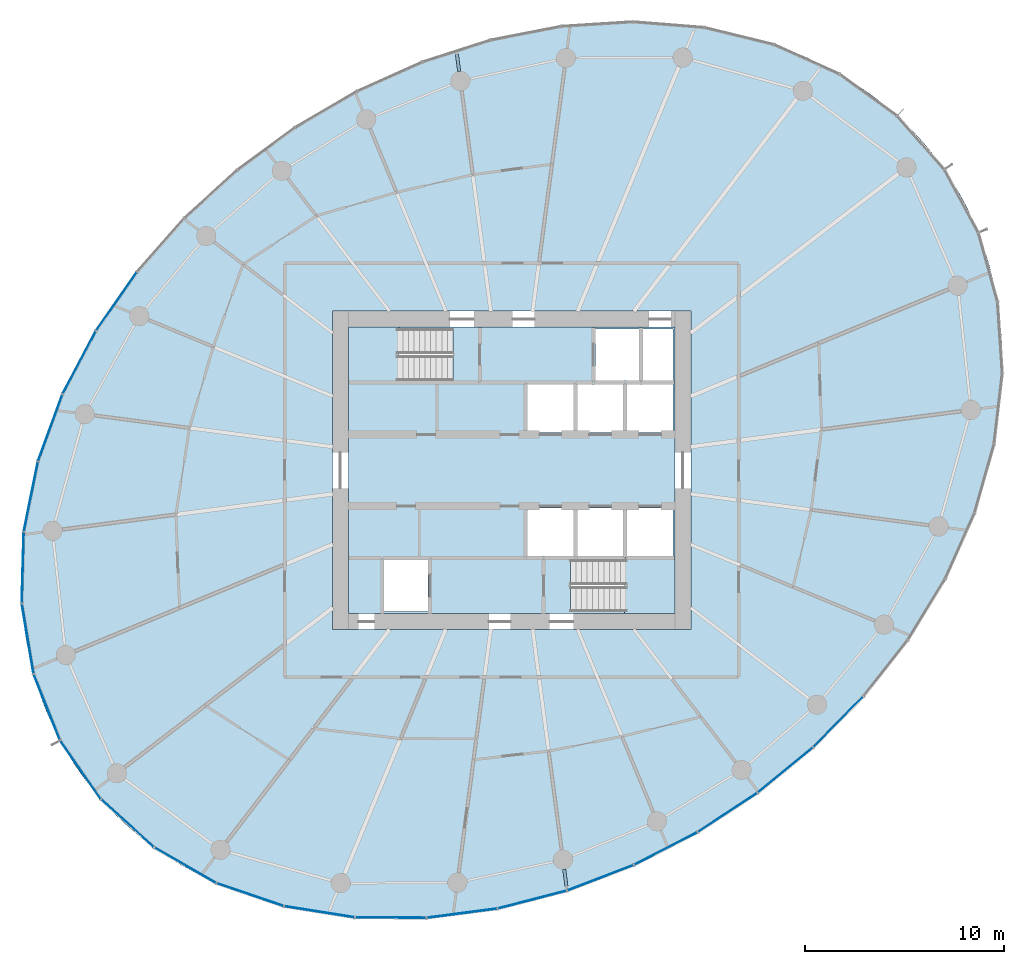
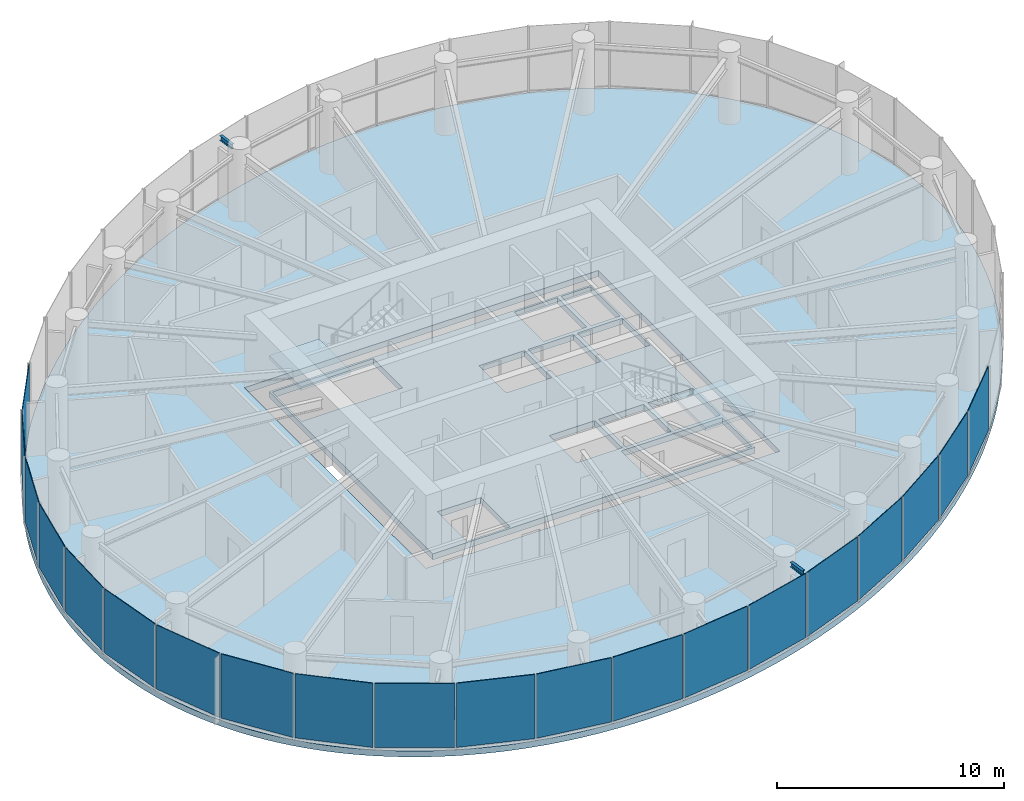
# One storey, part 7 of 14: 20 plates, 4 slabs, 2 beams, 6 elements without a shape of their own.
"""IFC4 building model written with IfcOpenShell, lengths in metres."""

from ifc_helpers import new_model, si_unit, direction, frame, origin, origin_2d, place, context, subcontext, project, spatial, line, indexed_curve, rectangle, i_section, outline, extrude, source, transform, mapped, material, layer, layer_set, material_profile, profile_set, type_object, element, aggregate, save


model = new_model("IFC4")

# Units and contexts
model_context = context("Model", 3, precision=1e-05, world=origin(), true_north=direction((0.0, 1.0)))
body_context = subcontext(model_context, "Body", "Model", "MODEL_VIEW")
ifc_project = project(units=[si_unit("LENGTHUNIT", "METRE"), si_unit("AREAUNIT", "SQUARE_METRE"), si_unit("VOLUMEUNIT", "CUBIC_METRE"), si_unit("PLANEANGLEUNIT", "RADIAN"), si_unit("MASSUNIT", "GRAM", prefix="KILO")], contexts=[model_context])

# Site, building, storey
site_placement = place(None, origin())
site = spatial("IfcSite", under=ifc_project, at=site_placement, CompositionType="ELEMENT")
building_placement = place(site_placement, origin())
building = spatial("IfcBuilding", under=site, at=building_placement, Name="Spindrift Exchange Tower", CompositionType="ELEMENT")
storey_placement = place(building_placement, frame((0.0, 0.0, 160.39990234375)))
storey = spatial("IfcBuildingStorey", under=building, at=storey_placement, Name="L38", CompositionType="ELEMENT", Elevation=160.39990234375)

# Beams
ifc_material_1 = material(Name="Steel Grade 300", Category="steel")
ifc_material_profile = material_profile(ifc_material_1, i_section(OverallWidth=0.14599609375, OverallDepth=0.251953125, WebThickness=0.006103515625, FlangeThickness=0.008544921875, FilletRadius=0.011962890625, at=origin_2d()), Name="250UB31.4")
ifc_profile_set = profile_set([ifc_material_profile], Name="Steel Grade 300")
beam_type = type_object("IfcBeamType", Name="Cantilever Beam 250UB31.4 Steel Grade 300", PredefinedType="BEAM", material=ifc_profile_set)
shared_shape_1 = source(origin(), body_context, "Body", "SweptSolid", [
    extrude(i_section(OverallWidth=0.14599609375, OverallDepth=0.251953125, WebThickness=0.006103515625, FlangeThickness=0.008544921875, FilletRadius=0.011962890625, at=origin_2d()), origin(), (0.0, 0.0, 1.0), 0.86962890625),
])
for number, where, z_axis, x_axis, name in (
    (1, (49.36328125, 68.027099609375, 3.4541015625), (-0.130251188216, 0.991481027538, 0.0), (-0.991481027538, -0.130251188216, 0.0), "L38 cantilever beam R07T"),
    (2, (54.63671875, 27.972900390625, 3.4541015625), (0.130251188216, -0.991481027538, 0.0), (0.991481027538, 0.130251188216, 0.0), "L38 cantilever beam R19T"),
):
    element("IfcBeam", number, at=place(storey_placement, frame(where, z_axis=z_axis, x_axis=x_axis)), inside=storey, type_object=beam_type, Name=name, PredefinedType="BEAM", context=body_context, shape_type="MappedRepresentation", body=[
        mapped(shared_shape_1, transform((0.0, 0.0, 0.0), scale=1.0)),
    ])

# Slabs
ifc_material_2 = material(Name="Concrete 40 MPa", Category="concrete")
ifc_layer_1 = layer(ifc_material_2, 0.320068359375)
ifc_layer_set_1 = layer_set([ifc_layer_1], Name="RC Floor Slab 320 Concrete 40 MPa")
slab_type_1 = type_object("IfcSlabType", Name="RC Floor Slab 320 Concrete 40 MPa", PredefinedType="FLOOR", material=ifc_layer_set_1)
slab_1_placement = place(storey_placement, frame((0.0, 0.0, -0.31982421875)))
element("IfcSlab", 3, at=slab_1_placement, inside=storey, type_object=slab_type_1, Name="Floor slab L38", PredefinedType="FLOOR", context=body_context, shape_type="SweptSolid", body=[
    extrude(outline(indexed_curve([(73.730224609375, 63.10009765625), (73.49169921875, 63.433837890625), (73.244384765625, 63.76123046875), (72.989013671875, 64.08203125), (72.724853515625, 64.396240234375), (72.452880859375, 64.703369140625), (72.173095703125, 65.00341796875), (71.885498046875, 65.2958984375), (71.590576171875, 65.581298828125), (71.288330078125, 65.858642578125), (70.979248046875, 66.12841796875), (70.66357421875, 66.390380859375), (70.34130859375, 66.644287109375), (70.0126953125, 66.890380859375), (69.33837890625, 67.35791015625), (68.642578125, 67.79248046875), (67.927001953125, 68.19384765625), (67.5625, 68.382080078125), (66.821044921875, 68.733642578125), (66.444580078125, 68.89697265625), (65.681884765625, 69.19921875), (64.906982421875, 69.468994140625), (64.515380859375, 69.591796875), (63.725341796875, 69.8134765625), (62.92724609375, 70.00390625), (62.525634765625, 70.087646484375), (61.718017578125, 70.232421875), (61.312255859375, 70.29345703125), (60.497802734375, 70.393798828125), (60.089599609375, 70.433349609375), (59.27099609375, 70.490966796875), (58.861083984375, 70.50927734375), (58.040771484375, 70.52587890625), (57.630615234375, 70.52392578125), (56.810302734375, 70.500732421875), (56.400390625, 70.4794921875), (55.582275390625, 70.418212890625), (55.173828125, 70.378173828125), (54.359130859375, 70.280029296875), (53.5478515625, 70.158203125), (53.143310546875, 70.088623046875), (52.739990234375, 70.013427734375), (51.936767578125, 69.845947265625), (51.138427734375, 69.656494140625), (50.7412109375, 69.5537109375), (50.345458984375, 69.445556640625), (49.558349609375, 69.213623046875), (49.167236328125, 69.08984375), (48.389892578125, 68.827392578125), (47.619384765625, 68.544921875), (47.23681640625, 68.396484375), (46.856201171875, 68.243408203125), (46.10107421875, 67.922607421875), (45.35400390625, 67.583251953125), (44.9833984375, 67.406494140625), (44.615234375, 67.2255859375), (43.8857421875, 66.85009765625), (42.808837890625, 66.25390625), (42.103271484375, 65.835205078125), (41.40771484375, 65.399658203125), (40.384521484375, 64.715576171875), (39.38671875, 63.9951171875), (38.73583984375, 63.495361328125), (38.097412109375, 62.97998046875), (37.1630859375, 62.1787109375), (36.8583984375, 61.904052734375), (36.2587890625, 61.343994140625), (35.673095703125, 60.769287109375), (35.385498046875, 60.4765625), (35.1015625, 60.180419921875), (34.545166015625, 59.577392578125), (34.00390625, 58.96044921875), (33.7392578125, 58.64697265625), (33.22216796875, 58.010009765625), (32.9697265625, 57.686279296875), (32.7216796875, 57.359619140625), (32.238525390625, 56.6962890625), (32.003662109375, 56.360107421875), (31.547607421875, 55.677734375), (31.110595703125, 54.9833984375), (30.8994140625, 54.631591796875), (30.491943359375, 53.919189453125), (30.2958984375, 53.558837890625), (29.919921875, 52.82958984375), (29.739990234375, 52.460693359375), (29.397216796875, 51.71533203125), (29.234375, 51.338623046875), (28.926513671875, 50.578125), (28.78173828125, 50.194091796875), (28.643310546875, 49.80810546875), (28.385498046875, 49.029052734375), (28.266357421875, 48.636474609375), (28.048583984375, 47.84521484375), (27.8583984375, 47.047119140625), (27.7744140625, 46.6455078125), (27.62841796875, 45.838134765625), (27.566650390625, 45.432373046875), (27.466796875, 44.617919921875), (27.428955078125, 44.20947265625), (27.377685546875, 43.390380859375), (27.360107421875, 42.5703125), (27.37744140625, 41.75), (27.3994140625, 41.340087890625), (27.470458984375, 40.522705078125), (27.51953125, 40.115478515625), (27.646240234375, 39.3046875), (27.810791015625, 38.5009765625), (28.013671875, 37.705810546875), (28.129638671875, 37.3125), (28.25537109375, 36.921875), (28.390625, 36.534423828125), (28.535888671875, 36.150634765625), (28.690673828125, 35.770751953125), (28.85498046875, 35.394775390625), (29.029052734375, 35.023193359375), (29.21240234375, 34.65625), (29.405517578125, 34.294189453125), (29.60791015625, 33.9375), (29.8193359375, 33.5859375), (30.0400390625, 33.239990234375), (30.269775390625, 32.89990234375), (30.50830078125, 32.566162109375), (30.755615234375, 32.23876953125), (31.010986328125, 31.91796875), (31.275146484375, 31.603759765625), (31.547119140625, 31.296630859375), (31.826904296875, 30.99658203125), (32.114501953125, 30.7041015625), (32.409423828125, 30.418701171875), (32.711669921875, 30.141357421875), (33.020751953125, 29.87158203125), (33.33642578125, 29.609619140625), (33.65869140625, 29.355712890625), (33.9873046875, 29.109619140625), (34.66162109375, 28.64208984375), (35.357421875, 28.20751953125), (36.072998046875, 27.80615234375), (36.4375, 27.617919921875), (37.178955078125, 27.266357421875), (37.555419921875, 27.10302734375), (38.318115234375, 26.80078125), (39.093017578125, 26.531005859375), (39.484619140625, 26.408203125), (40.274658203125, 26.1865234375), (41.07275390625, 25.99609375), (41.474365234375, 25.912353515625), (42.281982421875, 25.767578125), (42.687744140625, 25.70654296875), (43.502197265625, 25.606201171875), (43.910400390625, 25.566650390625), (44.72900390625, 25.509033203125), (45.138916015625, 25.49072265625), (45.959228515625, 25.47412109375), (46.369384765625, 25.47607421875), (47.189697265625, 25.499267578125), (47.599609375, 25.5205078125), (48.417724609375, 25.581787109375), (48.826171875, 25.621826171875), (49.640869140625, 25.719970703125), (50.4521484375, 25.841796875), (50.856689453125, 25.911376953125), (51.260009765625, 25.986572265625), (52.063232421875, 26.154052734375), (52.861572265625, 26.343505859375), (53.2587890625, 26.4462890625), (53.654541015625, 26.554443359375), (54.441650390625, 26.786376953125), (54.832763671875, 26.91015625), (55.610107421875, 27.172607421875), (56.380615234375, 27.455078125), (56.76318359375, 27.603515625), (57.143798828125, 27.756591796875), (57.89892578125, 28.077392578125), (58.64599609375, 28.416748046875), (59.0166015625, 28.593505859375), (59.384765625, 28.7744140625), (60.1142578125, 29.14990234375), (61.191162109375, 29.74609375), (61.896728515625, 30.164794921875), (62.59228515625, 30.600341796875), (63.615478515625, 31.284423828125), (64.61328125, 32.0048828125), (65.26416015625, 32.504638671875), (65.902587890625, 33.02001953125), (66.8369140625, 33.8212890625), (67.1416015625, 34.095947265625), (67.7412109375, 34.656005859375), (68.326904296875, 35.230712890625), (68.614501953125, 35.5234375), (68.8984375, 35.819580078125), (69.454833984375, 36.422607421875), (69.99609375, 37.03955078125), (70.2607421875, 37.35302734375), (70.77783203125, 37.989990234375), (71.0302734375, 38.313720703125), (71.2783203125, 38.640380859375), (71.761474609375, 39.3037109375), (71.996337890625, 39.639892578125), (72.452392578125, 40.322265625), (72.889404296875, 41.0166015625), (73.1005859375, 41.368408203125), (73.508056640625, 42.080810546875), (73.7041015625, 42.441162109375), (74.080078125, 43.17041015625), (74.260009765625, 43.539306640625), (74.602783203125, 44.28466796875), (74.765625, 44.661376953125), (75.073486328125, 45.421875), (75.21826171875, 45.805908203125), (75.356689453125, 46.19189453125), (75.614501953125, 46.970947265625), (75.733642578125, 47.363525390625), (75.951416015625, 48.15478515625), (76.1416015625, 48.952880859375), (76.2255859375, 49.3544921875), (76.37158203125, 50.161865234375), (76.433349609375, 50.567626953125), (76.533203125, 51.382080078125), (76.571044921875, 51.79052734375), (76.622314453125, 52.609619140625), (76.639892578125, 53.4296875), (76.62255859375, 54.25), (76.6005859375, 54.659912109375), (76.529541015625, 55.477294921875), (76.48046875, 55.884521484375), (76.353759765625, 56.6953125), (76.189208984375, 57.4990234375), (75.986328125, 58.294189453125), (75.870361328125, 58.6875), (75.74462890625, 59.078125), (75.609375, 59.465576171875), (75.464111328125, 59.849365234375), (75.309326171875, 60.229248046875), (75.14501953125, 60.605224609375), (74.970947265625, 60.976806640625), (74.78759765625, 61.34375), (74.594482421875, 61.705810546875), (74.39208984375, 62.0625), (74.1806640625, 62.4140625), (73.9599609375, 62.760009765625)], segments=[line(1, 2, 3, 4, 5, 6, 7, 8, 9, 10, 11, 12, 13, 14, 15, 16, 17, 18, 19, 20, 21, 22, 23, 24, 25, 26, 27, 28, 29, 30, 31, 32, 33, 34, 35, 36, 37, 38, 39, 40, 41, 42, 43, 44, 45, 46, 47, 48, 49, 50, 51, 52, 53, 54, 55, 56, 57, 58, 59, 60, 61, 62, 63, 64, 65, 66, 67, 68, 69, 70, 71, 72, 73, 74, 75, 76, 77, 78, 79, 80, 81, 82, 83, 84, 85, 86, 87, 88, 89, 90, 91, 92, 93, 94, 95, 96, 97, 98, 99, 100, 101, 102, 103, 104, 105, 106, 107, 108, 109, 110, 111, 112, 113, 114, 115, 116, 117, 118, 119, 120, 121, 122, 123, 124, 125, 126, 127, 128, 129, 130, 131, 132, 133, 134, 135, 136, 137, 138, 139, 140, 141, 142, 143, 144, 145, 146, 147, 148, 149, 150, 151, 152, 153, 154, 155, 156, 157, 158, 159, 160, 161, 162, 163, 164, 165, 166, 167, 168, 169, 170, 171, 172, 173, 174, 175, 176, 177, 178, 179, 180, 181, 182, 183, 184, 185, 186, 187, 188, 189, 190, 191, 192, 193, 194, 195, 196, 197, 198, 199, 200, 201, 202, 203, 204, 205, 206, 207, 208, 209, 210, 211, 212, 213, 214, 215, 216, 217, 218, 219, 220, 221, 222, 223, 224, 225, 226, 227, 228, 229, 230, 231, 232, 233, 234, 235, 236, 237, 238, 239, 240, 1)], self_intersect=False), holes=[indexed_curve([(43.0, 40.0), (61.0, 40.0), (61.0, 56.0), (43.0, 56.0)], segments=[line(1, 2, 3, 4, 1)], self_intersect=False)]), origin(), (0.0, 0.0, 1.0), 0.31982421875),
])
ifc_material_3 = material(Name="Concrete 50 MPa", Category="concrete")
ifc_layer_2 = layer(ifc_material_3, 0.320068359375)
ifc_layer_set_2 = layer_set([ifc_layer_2], Name="SL-CORE-FLOOR-320")
slab_type_2 = type_object("IfcSlabType", Name="SL-CORE-FLOOR-320", PredefinedType="FLOOR", material=ifc_layer_set_2)
slab_2_placement = place(storey_placement, frame((0.0, 0.0, -0.31982421875)))
element("IfcSlab", 4, at=slab_2_placement, inside=storey, type_object=slab_type_2, Name="L38 Core floor slab", PredefinedType="FLOOR", context=body_context, shape_type="SweptSolid", body=[
    extrude(outline(indexed_curve([(43.800048828125, 40.800048828125), (43.800048828125, 55.199951171875), (60.199951171875, 55.199951171875), (60.199951171875, 40.800048828125)], segments=[line(1, 2, 3, 4, 1)], self_intersect=False), holes=[indexed_curve([(45.60009765625, 43.5), (45.60009765625, 40.89990234375), (47.800048828125, 40.89990234375), (47.800048828125, 43.5)], segments=[line(1, 2, 3, 4, 1)], self_intersect=False), indexed_curve([(52.800048828125, 46.10009765625), (52.800048828125, 43.699951171875), (55.10009765625, 43.699951171875), (55.10009765625, 46.10009765625)], segments=[line(1, 2, 3, 4, 1)], self_intersect=False), indexed_curve([(55.300048828125, 46.10009765625), (55.300048828125, 43.699951171875), (57.60009765625, 43.699951171875), (57.60009765625, 46.10009765625)], segments=[line(1, 2, 3, 4, 1)], self_intersect=False), indexed_curve([(55.10009765625, 52.300048828125), (52.800048828125, 52.300048828125), (52.800048828125, 49.89990234375), (55.10009765625, 49.89990234375)], segments=[line(1, 2, 3, 4, 1)], self_intersect=False), indexed_curve([(57.60009765625, 52.300048828125), (55.300048828125, 52.300048828125), (55.300048828125, 49.89990234375), (57.60009765625, 49.89990234375)], segments=[line(1, 2, 3, 4, 1)], self_intersect=False), indexed_curve([(43.906005859375, 52.506103515625), (49.0439453125, 52.506103515625), (49.0439453125, 55.093994140625), (43.906005859375, 55.093994140625)], segments=[line(1, 2, 3, 4, 1)], self_intersect=False), indexed_curve([(60.093994140625, 40.906005859375), (60.093994140625, 43.493896484375), (54.9560546875, 43.493896484375), (54.9560546875, 40.906005859375)], segments=[line(1, 2, 3, 4, 1)], self_intersect=False), indexed_curve([(60.10009765625, 46.10009765625), (57.800048828125, 46.10009765625), (57.800048828125, 43.699951171875), (60.10009765625, 43.699951171875)], segments=[line(1, 2, 3, 4, 1)], self_intersect=False), indexed_curve([(57.800048828125, 52.300048828125), (57.800048828125, 49.89990234375), (60.10009765625, 49.89990234375), (60.10009765625, 52.300048828125)], segments=[line(1, 2, 3, 4, 1)], self_intersect=False), indexed_curve([(58.39990234375, 55.10009765625), (56.199951171875, 55.10009765625), (56.199951171875, 52.5), (58.39990234375, 52.5)], segments=[line(1, 2, 3, 4, 1)], self_intersect=False), indexed_curve([(60.10009765625, 55.10009765625), (58.60009765625, 55.10009765625), (58.60009765625, 52.5), (60.10009765625, 52.5)], segments=[line(1, 2, 3, 4, 1)], self_intersect=False)]), origin(), (0.0, 0.0, 1.0), 0.31982421875),
])

# Stair, slab
stair_type = type_object("IfcStairType", Name="ST-1250-R177", PredefinedType="HALF_TURN_STAIR", material=ifc_material_3)
stair_1_placement = place(storey_placement, origin())
stair_1 = element("IfcStair", 5, at=stair_1_placement, inside=storey, type_object=stair_type, Name="L38 Exit stair ST1", PredefinedType="HALF_TURN_STAIR")
ifc_layer_3 = layer(ifc_material_3, 0.199951171875)
ifc_layer_set_3 = layer_set([ifc_layer_3], Name="SL-LANDING")
slab_type_3 = type_object("IfcSlabType", Name="SL-LANDING", PredefinedType="LANDING", material=ifc_layer_set_3)
slab_3_placement = place(storey_placement, frame((0.0, 0.0, 1.75)))
slab_3 = element("IfcSlab", 6, at=slab_3_placement, type_object=slab_type_3, Name="ST1 landing 1", PredefinedType="LANDING", context=body_context, shape_type="SweptSolid", body=[
    extrude(outline(indexed_curve([(46.330078125, 52.39990234375), (43.800048828125, 52.39990234375), (43.800048828125, 55.199951171875), (46.330078125, 55.199951171875)], segments=[line(1, 2, 3, 4, 1)], self_intersect=False)), origin(), (0.0, 0.0, 1.0), 0.2001953125),
])
aggregate(stair_1, [slab_3])

stair_2_placement = place(storey_placement, origin())
stair_2 = element("IfcStair", 7, at=stair_2_placement, inside=storey, type_object=stair_type, Name="L38 Exit stair ST2", PredefinedType="HALF_TURN_STAIR")
slab_4_placement = place(storey_placement, frame((0.0, 0.0, 1.75)))
slab_4 = element("IfcSlab", 8, at=slab_4_placement, type_object=slab_type_3, Name="ST2 landing 1", PredefinedType="LANDING", context=body_context, shape_type="SweptSolid", body=[
    extrude(outline(indexed_curve([(57.669921875, 43.60009765625), (60.199951171875, 43.60009765625), (60.199951171875, 40.800048828125), (57.669921875, 40.800048828125)], segments=[line(1, 2, 3, 4, 1)], self_intersect=False)), origin(), (0.0, 0.0, 1.0), 0.2001953125),
])
aggregate(stair_2, [slab_4])

# Curtain wall, plate
ifc_material_4 = material(Name="Fritted laminated glass with bronze frame", Category="glass")
ifc_layer_4 = layer(ifc_material_4, 0.179931640625)
ifc_layer_set_4 = layer_set([ifc_layer_4], Name="ZONE 3 BRONZE FRITTED WALL")
curtain_wall_type = type_object("IfcCurtainWallType", Name="ZONE 3 BRONZE FRITTED WALL", PredefinedType="NOTDEFINED", material=ifc_layer_set_4)
curtain_wall_1_placement = place(storey_placement, origin())
curtain_wall_1 = element("IfcCurtainWall", 9, at=curtain_wall_1_placement, inside=storey, type_object=curtain_wall_type, Name="L38 Zone 3 Bronze Fritted Wall run 3", PredefinedType="NOTDEFINED")
ifc_material_5 = material(Name="Bronze fritted laminated glass, open frit", Category="glass")
ifc_layer_5 = layer(ifc_material_5, 0.031982421875)
ifc_layer_set_5 = layer_set([ifc_layer_5], Name="ZONE 3 BRONZE FRITTED WALL PANEL OPEN FRIT 360")
plate_type_1 = type_object("IfcPlateType", Name="ZONE 3 BRONZE FRITTED WALL PANEL OPEN FRIT 360", PredefinedType="CURTAIN_PANEL", material=ifc_layer_set_5)
shared_shape_2 = source(origin(), body_context, "Body", "SweptSolid", [
    extrude(rectangle(XDim=3.530517578125, YDim=0.031982421875, at=origin_2d()), origin(), (0.0, 0.0, 1.0), 3.449951171875),
])
plate_1_placement = place(storey_placement, frame((32.155517578125, 56.48583984375, 0.1298828125), z_axis=(0.0, 0.0, 1.0), x_axis=(-0.571790823965, -0.820399447604, 0.0)))
plate_1 = element("IfcPlate", 10, at=plate_1_placement, type_object=plate_type_1, Name="L38 panel CW-3.14", PredefinedType="CURTAIN_PANEL", context=body_context, shape_type="MappedRepresentation", body=[
    mapped(shared_shape_2, transform((0.0, 0.0, 0.0), scale=1.0)),
])

# Curtain wall, plates
curtain_wall_2_placement = place(storey_placement, origin())
curtain_wall_2 = element("IfcCurtainWall", 11, at=curtain_wall_2_placement, inside=storey, type_object=curtain_wall_type, Name="L38 Zone 3 Bronze Fritted Wall run 5", PredefinedType="NOTDEFINED")
plate_2_placement = place(storey_placement, frame((53.032470703125, 26.44189453125, 0.1298828125), z_axis=(0.0, 0.0, 1.0), x_axis=(0.968298664298, 0.249795309643, 0.0)))
plate_2 = element("IfcPlate", 12, at=plate_2_placement, type_object=plate_type_1, Name="L38 panel CW-3.28", PredefinedType="CURTAIN_PANEL", context=body_context, shape_type="MappedRepresentation", body=[
    mapped(shared_shape_2, transform((0.0, 0.0, 0.0), scale=1.0)),
])
ifc_layer_6 = layer(ifc_material_5, 0.031982421875)
ifc_layer_set_6 = layer_set([ifc_layer_6], Name="ZONE 3 BRONZE FRITTED WALL PANEL OPEN FRIT 600")
plate_type_2 = type_object("IfcPlateType", Name="ZONE 3 BRONZE FRITTED WALL PANEL OPEN FRIT 600", PredefinedType="CURTAIN_PANEL", material=ifc_layer_set_6)
shared_shape_3 = source(origin(), body_context, "Body", "SweptSolid", [
    extrude(rectangle(XDim=3.53076171875, YDim=0.031982421875, at=origin_2d()), origin(), (0.0, 0.0, 1.0), 3.449951171875),
])
plate_3_placement = place(storey_placement, frame((56.456298828125, 27.537353515625, 0.1298828125), z_axis=(0.0, 0.0, 1.0), x_axis=(0.93346967375, 0.358656337166, 0.0)))
plate_3 = element("IfcPlate", 13, at=plate_3_placement, type_object=plate_type_2, Name="L38 panel CW-3.29", PredefinedType="CURTAIN_PANEL", context=body_context, shape_type="MappedRepresentation", body=[
    mapped(shared_shape_3, transform((0.0, 0.0, 0.0), scale=1.0)),
])
plate_4_placement = place(storey_placement, frame((59.737548828125, 29.007080078125, 0.1298828125), z_axis=(0.0, 0.0, 1.0), x_axis=(0.889077069424, 0.457757539123, 0.0)))
plate_4 = element("IfcPlate", 14, at=plate_4_placement, type_object=plate_type_2, Name="L38 panel CW-3.30", PredefinedType="CURTAIN_PANEL", context=body_context, shape_type="MappedRepresentation", body=[
    mapped(shared_shape_3, transform((0.0, 0.0, 0.0), scale=1.0)),
])

curtain_wall_3_placement = place(storey_placement, origin())
curtain_wall_3 = element("IfcCurtainWall", 15, at=curtain_wall_3_placement, inside=storey, type_object=curtain_wall_type, Name="L38 Zone 3 Bronze Fritted Wall run 6", PredefinedType="NOTDEFINED")
shared_shape_4 = source(origin(), body_context, "Body", "SweptSolid", [
    extrude(rectangle(XDim=3.531005859375, YDim=0.031982421875, at=origin_2d()), origin(), (0.0, 0.0, 1.0), 3.449951171875),
])
plate_5_placement = place(storey_placement, frame((62.84326171875, 30.819580078125, 0.1298828125), z_axis=(0.0, 0.0, 1.0), x_axis=(0.835875388967, 0.548919241891, 0.0)))
plate_5 = element("IfcPlate", 16, at=plate_5_placement, type_object=plate_type_2, Name="L38 panel CW-3.31", PredefinedType="CURTAIN_PANEL", context=body_context, shape_type="MappedRepresentation", body=[
    mapped(shared_shape_4, transform((0.0, 0.0, 0.0), scale=1.0)),
])
shared_shape_5 = source(origin(), body_context, "Body", "SweptSolid", [
    extrude(rectangle(XDim=3.53076171875, YDim=0.031982421875, at=origin_2d()), origin(), (0.0, 0.0, 1.0), 3.449951171875),
])
plate_6_placement = place(storey_placement, frame((68.397705078125, 35.37158203125, 0.1298828125), z_axis=(0.0, 0.0, 1.0), x_axis=(0.701796304314, 0.71237767178, 0.0)))
plate_6 = element("IfcPlate", 17, at=plate_6_placement, type_object=plate_type_1, Name="L38 panel CW-3.33", PredefinedType="CURTAIN_PANEL", context=body_context, shape_type="MappedRepresentation", body=[
    mapped(shared_shape_5, transform((0.0, 0.0, 0.0), scale=1.0)),
])

curtain_wall_4_placement = place(storey_placement, origin())
curtain_wall_4 = element("IfcCurtainWall", 18, at=curtain_wall_4_placement, inside=storey, type_object=curtain_wall_type, Name="L38 Zone 3 Bronze Fritted Wall run 4", PredefinedType="NOTDEFINED")
shared_shape_6 = source(origin(), body_context, "Body", "SweptSolid", [
    extrude(rectangle(XDim=3.527587890625, YDim=0.031982421875, at=origin_2d()), origin(), (0.0, 0.0, 1.0), 3.449951171875),
])
plate_7_placement = place(storey_placement, frame((38.86328125, 26.69384765625, 0.1298828125), z_axis=(0.0, 0.0, 1.0), x_axis=(0.946458984013, -0.322824087673, 0.0)))
plate_7 = element("IfcPlate", 19, at=plate_7_placement, type_object=plate_type_1, Name="L38 panel CW-3.24", PredefinedType="CURTAIN_PANEL", context=body_context, shape_type="MappedRepresentation", body=[
    mapped(shared_shape_6, transform((0.0, 0.0, 0.0), scale=1.0)),
])
shared_shape_7 = source(origin(), body_context, "Body", "SweptSolid", [
    extrude(rectangle(XDim=3.525146484375, YDim=0.031982421875, at=origin_2d()), origin(), (0.0, 0.0, 1.0), 3.449951171875),
])
plate_8_placement = place(storey_placement, frame((28.662109375, 36.104248046875, 0.1298828125), z_axis=(0.0, 0.0, 1.0), x_axis=(0.371089090503, -0.928597268416, 0.0)))
plate_8 = element("IfcPlate", 20, at=plate_8_placement, type_object=plate_type_2, Name="L38 panel CW-3.20", PredefinedType="CURTAIN_PANEL", context=body_context, shape_type="MappedRepresentation", body=[
    mapped(shared_shape_7, transform((0.0, 0.0, 0.0), scale=1.0)),
])

# Plate
shared_shape_8 = source(origin(), body_context, "Body", "SweptSolid", [
    extrude(rectangle(XDim=3.527587890625, YDim=0.031982421875, at=origin_2d()), origin(), (0.0, 0.0, 1.0), 3.449951171875),
])
plate_9_placement = place(storey_placement, frame((27.4501953125, 43.118408203125, 0.1298828125), z_axis=(0.0, 0.0, 1.0), x_axis=(-0.02754653728, -0.99962052214, 0.0)))
plate_9 = element("IfcPlate", 21, at=plate_9_placement, type_object=plate_type_2, Name="L38 panel CW-3.18", PredefinedType="CURTAIN_PANEL", context=body_context, shape_type="MappedRepresentation", body=[
    mapped(shared_shape_8, transform((0.0, 0.0, 0.0), scale=1.0)),
])

shared_shape_9 = source(origin(), body_context, "Body", "SweptSolid", [
    extrude(rectangle(XDim=3.530029296875, YDim=0.031982421875, at=origin_2d()), origin(), (0.0, 0.0, 1.0), 3.449951171875),
])
plate_10_placement = place(storey_placement, frame((30.2861328125, 53.4169921875, 0.1298828125), z_axis=(0.0, 0.0, 1.0), x_axis=(-0.466738609196, -0.884395313582, 0.0)))
plate_10 = element("IfcPlate", 22, at=plate_10_placement, type_object=plate_type_2, Name="L38 panel CW-3.15", PredefinedType="CURTAIN_PANEL", context=body_context, shape_type="MappedRepresentation", body=[
    mapped(shared_shape_9, transform((0.0, 0.0, 0.0), scale=1.0)),
])

ifc_layer_7 = layer(ifc_material_5, 0.031982421875)
ifc_layer_set_7 = layer_set([ifc_layer_7], Name="ZONE 3 BRONZE FRITTED WALL PANEL OPEN FRIT 480")
plate_type_3 = type_object("IfcPlateType", Name="ZONE 3 BRONZE FRITTED WALL PANEL OPEN FRIT 480", PredefinedType="CURTAIN_PANEL", material=ifc_layer_set_7)
shared_shape_10 = source(origin(), body_context, "Body", "SweptSolid", [
    extrude(rectangle(XDim=3.531005859375, YDim=0.031982421875, at=origin_2d()), origin(), (0.0, 0.0, 1.0), 3.449951171875),
])
plate_11_placement = place(storey_placement, frame((65.7412109375, 32.948486328125, 0.1298828125), z_axis=(0.0, 0.0, 1.0), x_axis=(0.773741814614, 0.633501068916, 0.0)))
plate_11 = element("IfcPlate", 23, at=plate_11_placement, type_object=plate_type_3, Name="L38 panel CW-3.32", PredefinedType="CURTAIN_PANEL", context=body_context, shape_type="MappedRepresentation", body=[
    mapped(shared_shape_10, transform((0.0, 0.0, 0.0), scale=1.0)),
])

aggregate(curtain_wall_3, [plate_5, plate_11, plate_6])

shared_shape_11 = source(origin(), body_context, "Body", "SweptSolid", [
    extrude(rectangle(XDim=3.530029296875, YDim=0.031982421875, at=origin_2d()), origin(), (0.0, 0.0, 1.0), 3.449951171875),
])
plate_12_placement = place(storey_placement, frame((49.50439453125, 25.760009765625, 0.1298828125), z_axis=(0.0, 0.0, 1.0), x_axis=(0.991644390899, 0.129001558128, 0.0)))
plate_12 = element("IfcPlate", 24, at=plate_12_placement, type_object=plate_type_3, Name="L38 panel CW-3.27", PredefinedType="CURTAIN_PANEL", context=body_context, shape_type="MappedRepresentation", body=[
    mapped(shared_shape_11, transform((0.0, 0.0, 0.0), scale=1.0)),
])

shared_shape_12 = source(origin(), body_context, "Body", "SweptSolid", [
    extrude(rectangle(XDim=3.525146484375, YDim=0.031982421875, at=origin_2d()), origin(), (0.0, 0.0, 1.0), 3.449951171875),
])
plate_13_placement = place(storey_placement, frame((32.7119140625, 30.27587890625, 0.1298828125), z_axis=(0.0, 0.0, 1.0), x_axis=(0.740862039884, -0.671657232418, 0.0)))
plate_13 = element("IfcPlate", 25, at=plate_13_placement, type_object=plate_type_1, Name="L38 panel CW-3.22", PredefinedType="CURTAIN_PANEL", context=body_context, shape_type="MappedRepresentation", body=[
    mapped(shared_shape_12, transform((0.0, 0.0, 0.0), scale=1.0)),
])

shared_shape_13 = source(origin(), body_context, "Body", "SweptSolid", [
    extrude(rectangle(XDim=3.524658203125, YDim=0.031982421875, at=origin_2d()), origin(), (0.0, 0.0, 1.0), 3.449951171875),
])
plate_14_placement = place(storey_placement, frame((30.3544921875, 32.958984375, 0.1298828125), z_axis=(0.0, 0.0, 1.0), x_axis=(0.57065337277, -0.821191042417, 0.0)))
plate_14 = element("IfcPlate", 26, at=plate_14_placement, type_object=plate_type_3, Name="L38 panel CW-3.21", PredefinedType="CURTAIN_PANEL", context=body_context, shape_type="MappedRepresentation", body=[
    mapped(shared_shape_13, transform((0.0, 0.0, 0.0), scale=1.0)),
])

shared_shape_14 = source(origin(), body_context, "Body", "SweptSolid", [
    extrude(rectangle(XDim=3.529541015625, YDim=0.031982421875, at=origin_2d()), origin(), (0.0, 0.0, 1.0), 3.449951171875),
])
plate_15_placement = place(storey_placement, frame((28.828369140625, 50.134765625, 0.1298828125), z_axis=(0.0, 0.0, 1.0), x_axis=(-0.343161381521, -0.939276458894, 0.0)))
plate_15 = element("IfcPlate", 27, at=plate_15_placement, type_object=plate_type_1, Name="L38 panel CW-3.16", PredefinedType="CURTAIN_PANEL", context=body_context, shape_type="MappedRepresentation", body=[
    mapped(shared_shape_14, transform((0.0, 0.0, 0.0), scale=1.0)),
])

plate_16_placement = place(storey_placement, frame((45.919677734375, 25.53857421875, 0.1298828125), z_axis=(0.0, 0.0, 1.0), x_axis=(0.999982330968, -0.005944556421, 0.0)))
plate_16 = element("IfcPlate", 28, at=plate_16_placement, type_object=plate_type_1, Name="L38 panel CW-3.26", PredefinedType="CURTAIN_PANEL", context=body_context, shape_type="MappedRepresentation", body=[
    mapped(shared_shape_14, transform((0.0, 0.0, 0.0), scale=1.0)),
])

shared_shape_15 = source(origin(), body_context, "Body", "SweptSolid", [
    extrude(rectangle(XDim=3.526123046875, YDim=0.031982421875, at=origin_2d()), origin(), (0.0, 0.0, 1.0), 3.449951171875),
])
plate_17_placement = place(storey_placement, frame((27.69775390625, 39.546875, 0.1298828125), z_axis=(0.0, 0.0, 1.0), x_axis=(0.165255890745, -0.986250723992, 0.0)))
plate_17 = element("IfcPlate", 29, at=plate_17_placement, type_object=plate_type_1, Name="L38 panel CW-3.19", PredefinedType="CURTAIN_PANEL", context=body_context, shape_type="MappedRepresentation", body=[
    mapped(shared_shape_15, transform((0.0, 0.0, 0.0), scale=1.0)),
])

plate_18_placement = place(storey_placement, frame((35.602294921875, 28.17138671875, 0.1298828125), z_axis=(0.0, 0.0, 1.0), x_axis=(0.866715726567, -0.498802415112, 0.0)))
plate_18 = element("IfcPlate", 30, at=plate_18_placement, type_object=plate_type_1, Name="L38 panel CW-3.23", PredefinedType="CURTAIN_PANEL", context=body_context, shape_type="MappedRepresentation", body=[
    mapped(shared_shape_15, transform((0.0, 0.0, 0.0), scale=1.0)),
])

aggregate(curtain_wall_4, [plate_17, plate_8, plate_14, plate_13, plate_18, plate_7])

shared_shape_16 = source(origin(), body_context, "Body", "SweptSolid", [
    extrude(rectangle(XDim=3.52880859375, YDim=0.031982421875, at=origin_2d()), origin(), (0.0, 0.0, 1.0), 3.449951171875),
])
plate_19_placement = place(storey_placement, frame((27.855224609375, 46.680419921875, 0.1298828125), z_axis=(0.0, 0.0, 1.0), x_axis=(-0.197570083902, -0.980288764572, 0.0)))
plate_19 = element("IfcPlate", 31, at=plate_19_placement, type_object=plate_type_3, Name="L38 panel CW-3.17", PredefinedType="CURTAIN_PANEL", context=body_context, shape_type="MappedRepresentation", body=[
    mapped(shared_shape_16, transform((0.0, 0.0, 0.0), scale=1.0)),
])

aggregate(curtain_wall_1, [plate_1, plate_10, plate_15, plate_19, plate_9])

plate_20_placement = place(storey_placement, frame((42.3427734375, 25.831298828125, 0.1298828125), z_axis=(0.0, 0.0, 1.0), x_axis=(0.987646531845, -0.156698207187, 0.0)))
plate_20 = element("IfcPlate", 32, at=plate_20_placement, type_object=plate_type_3, Name="L38 panel CW-3.25", PredefinedType="CURTAIN_PANEL", context=body_context, shape_type="MappedRepresentation", body=[
    mapped(shared_shape_16, transform((0.0, 0.0, 0.0), scale=1.0)),
])

aggregate(curtain_wall_2, [plate_20, plate_16, plate_12, plate_2, plate_3, plate_4])

save(model, "model.ifc")
